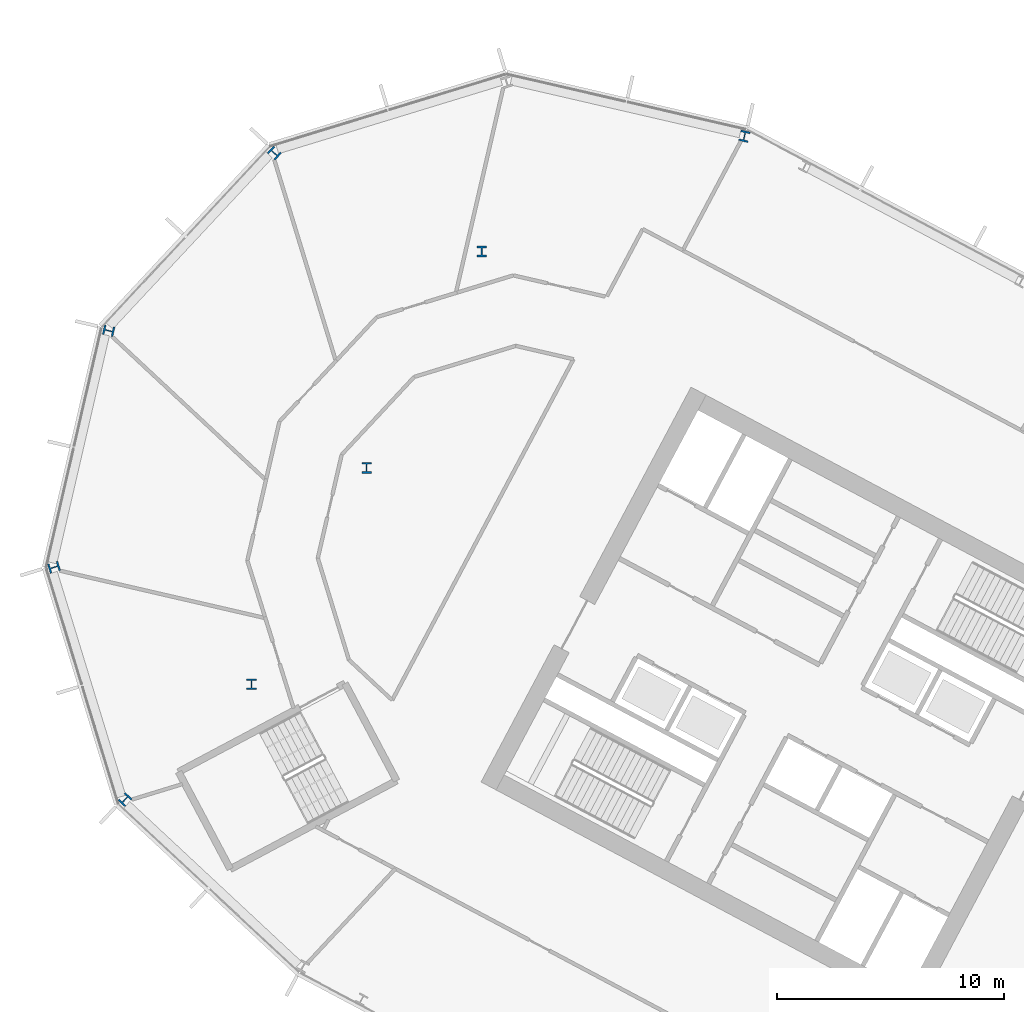
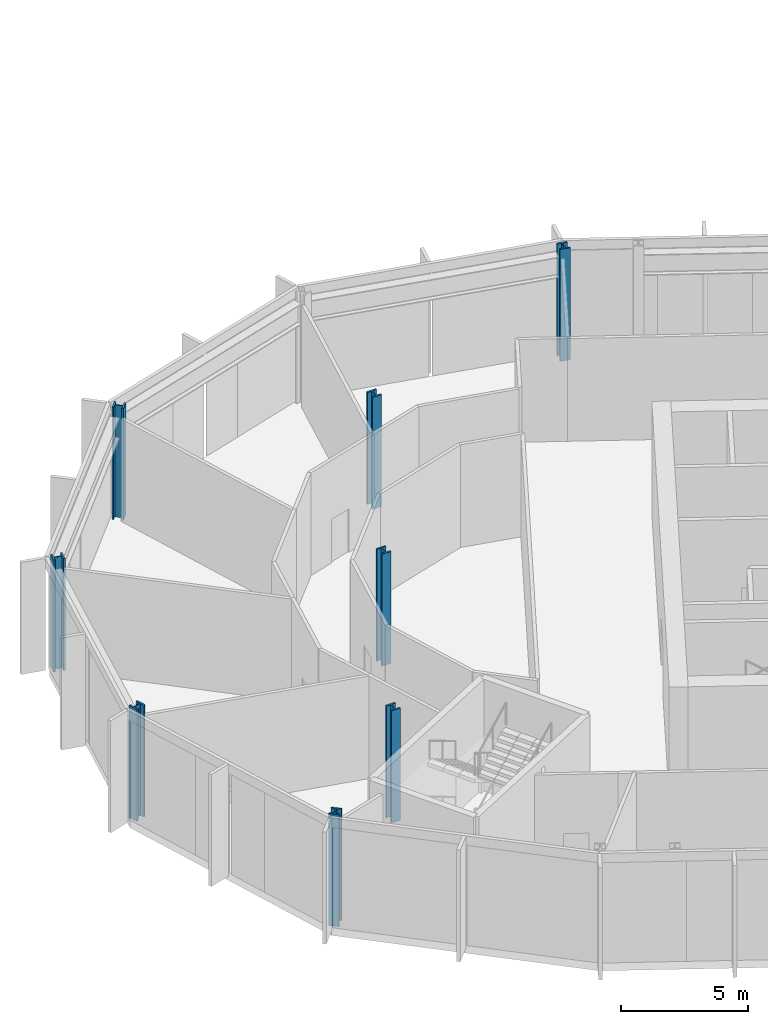
# One storey, part 3 of 31: 8 columns.
"""IFC4 building model written with IfcOpenShell, lengths in metres."""

import ifcopenshell
import ifcopenshell.guid

model = None  # the IFC model being written
_history = None  # IfcOwnerHistory: only IFC2X3 demands one
_inside = {}  # id of a spatial element -> (the spatial element, [elements in it])
_under = {}  # id of a project, library or spatial element -> (it, [spatial elements below it])
_declared = {}  # id of a project -> (the project, [libraries it declares])
_typed = {}  # id of a type object -> (the type object, [elements of that type])
_made_of = {}  # id of a material, layer set ... -> (it, [elements and type objects made of it])


def new_model(schema):
    """Start an empty IFC model of exactly this schema.

    Asked for "IFC4X3", IfcOpenShell would pick the latest addendum, in which some entities
    have other attributes; the version numbers below select the first issue.
    IFC2X3 requires an IfcOwnerHistory on every rooted entity: one is made here for all.
    """
    global model, _history
    if schema == "IFC4X3":
        model = ifcopenshell.file(schema_version=(4, 3, 0, 0))
    else:
        model = ifcopenshell.file(schema=schema)
    _inside.clear()
    _under.clear()
    _declared.clear()
    _typed.clear()
    _made_of.clear()
    _history = None
    if model.schema == "IFC2X3":
        org = make("IfcOrganization", Name="unknown")
        user = make(
            "IfcPersonAndOrganization",
            ThePerson=make("IfcPerson", FamilyName="unknown"),
            TheOrganization=org,
        )
        app = make(
            "IfcApplication",
            ApplicationDeveloper=org,
            Version="unknown",
            ApplicationFullName="unknown",
            ApplicationIdentifier="unknown",
        )
        _history = make(
            "IfcOwnerHistory",
            OwningUser=user,
            OwningApplication=app,
            ChangeAction="ADDED",
            CreationDate=0,
        )
    return model


def make(cls, **values):
    """One entity of the class cls with the attributes given. An attribute that is None is left unset."""
    return model.create_entity(
        cls, **{name: value for name, value in values.items() if value is not None}
    )


def rooted(cls, **values):
    """An entity with a GlobalId (a new one), such as an element, a storey or a relation."""
    return make(cls, GlobalId=ifcopenshell.guid.new(), OwnerHistory=_history, **values)


def si_unit(unit_type, name, prefix=None):
    """IfcSIUnit, for example si_unit("LENGTHUNIT", "METRE", prefix="MILLI")."""
    return make("IfcSIUnit", UnitType=unit_type, Prefix=prefix, Name=name)


def assignment(units):
    """IfcUnitAssignment: the units of a project."""
    return None if units is None else make("IfcUnitAssignment", Units=units)


def point(xyz):
    """IfcCartesianPoint."""
    return None if xyz is None else make("IfcCartesianPoint", Coordinates=xyz)


def direction(xyz):
    """IfcDirection."""
    return None if xyz is None else make("IfcDirection", DirectionRatios=xyz)


def frame(location, z_axis=None, x_axis=None):
    """IfcAxis2Placement3D, a coordinate frame: its origin and axes. An axis left out is left unset."""
    return make(
        "IfcAxis2Placement3D",
        Location=point(location),
        Axis=direction(z_axis),
        RefDirection=direction(x_axis),
    )


def frame_2d(location, x_axis=None):
    """IfcAxis2Placement2D, a coordinate frame in the plane: its origin and x axis."""
    return make(
        "IfcAxis2Placement2D", Location=point(location), RefDirection=direction(x_axis)
    )


def origin():
    """The frame at (0, 0, 0) with its axes left unset."""
    return frame((0.0, 0.0, 0.0))


def origin_2d():
    """The frame at (0, 0) in the plane with its x axis left unset."""
    return frame_2d((0.0, 0.0))


def place(relative_to, where):
    """IfcLocalPlacement: puts the frame where relative to a parent placement (None: the world)."""
    return make(
        "IfcLocalPlacement", PlacementRelTo=relative_to, RelativePlacement=where
    )


def context(
    kind, dimensions, precision=None, world=None, true_north=None, identifier=None
):
    """IfcGeometricRepresentationContext, for example the 3D "Model" context."""
    return make(
        "IfcGeometricRepresentationContext",
        ContextIdentifier=identifier,
        ContextType=kind,
        CoordinateSpaceDimension=dimensions,
        Precision=precision,
        WorldCoordinateSystem=world,
        TrueNorth=true_north,
    )


def subcontext(parent, identifier, kind, view, scale=None):
    """IfcGeometricRepresentationSubContext, for example "Body" below "Model"."""
    return make(
        "IfcGeometricRepresentationSubContext",
        ContextIdentifier=identifier,
        ContextType=kind,
        ParentContext=parent,
        TargetScale=scale,
        TargetView=view,
    )


def project(units=None, contexts=None):
    """IfcProject with its units and contexts."""
    return rooted(
        "IfcProject",
        Name="project",
        RepresentationContexts=contexts,
        UnitsInContext=assignment(units),
    )


def spatial(cls, under=None, at=None, **own):
    """A site, building, storey or space (cls), placed at a placement, below another one or the project."""
    s = rooted(cls, ObjectPlacement=at, **own)
    if under is not None:
        _under.setdefault(under.id(), (under, []))[1].append(s)
    return s


def profile(cls, at=None, kind="AREA", **sizes):
    """A parametric profile (cls). Its sizes go by their IFC names, for example OverallWidth=200.0."""
    return make(cls, ProfileType=kind, Position=at, **sizes)


def i_section(**sizes):
    """IfcIShapeProfileDef."""
    return profile("IfcIShapeProfileDef", **sizes)


def extrude(swept, where, along, depth):
    """IfcExtrudedAreaSolid: the profile swept, set in the frame where, extruded along a direction by depth."""
    return make(
        "IfcExtrudedAreaSolid",
        SweptArea=swept,
        Position=where,
        ExtrudedDirection=direction(along),
        Depth=depth,
    )


def shape(context_of_items, identifier, shape_type, items):
    """IfcShapeRepresentation: the items that make up one representation, for example the "Body"."""
    return make(
        "IfcShapeRepresentation",
        ContextOfItems=context_of_items,
        RepresentationIdentifier=identifier,
        RepresentationType=shape_type,
        Items=items,
    )


def material(Name=None, Category=None):
    """IfcMaterial."""
    return make("IfcMaterial", Name=Name, Category=Category)


def material_profile(
    of_material, cross_section, Name=None, Category=None, Priority=None
):
    """IfcMaterialProfile: a cross section and its material."""
    return make(
        "IfcMaterialProfile",
        Name=Name,
        Material=of_material,
        Profile=cross_section,
        Priority=Priority,
        Category=Category,
    )


def profile_set(profiles, Name=None, composite=None):
    """IfcMaterialProfileSet."""
    return make(
        "IfcMaterialProfileSet",
        Name=Name,
        MaterialProfiles=profiles,
        CompositeProfile=composite,
    )


def made_of(thing, what):
    """Note that an element or type object is made of a material, layer set ...; save() writes the relation."""
    if what is not None:
        _made_of.setdefault(what.id(), (what, []))[1].append(thing)
    return thing


def type_object(cls, material=None, **own):
    """A type object (cls), such as IfcWallType, which elements share."""
    return made_of(rooted(cls, **own), material)


def element(
    cls,
    number,
    at=None,
    inside=None,
    cuts=None,
    type_object=None,
    material=None,
    context=None,
    identifier="Body",
    shape_type=None,
    held_by="IfcProductDefinitionShape",
    body=None,
    shapes=None,
    **own,
):
    """One element of the class cls, such as IfcWall. Its Tag is "e" and its number.

    at: its placement. inside: the storey or other place that contains it. cuts: it is an
    opening in that element (IfcRelVoidsElement). A single representation is given by context,
    identifier, shape_type and body (its items); several are given by shapes. held_by: the class
    of the entity that holds the representations. save() writes the other relations.
    """
    e = rooted(cls, Tag="e%d" % number, ObjectPlacement=at, **own)
    if body is not None:
        shapes = [shape(context, identifier, shape_type, body)]
    if shapes is not None:
        e.Representation = make(held_by, Representations=shapes)
    if inside is not None:
        _inside.setdefault(inside.id(), (inside, []))[1].append(e)
    if cuts is not None:
        rooted(
            "IfcRelVoidsElement", RelatingBuildingElement=cuts, RelatedOpeningElement=e
        )
    if type_object is not None:
        _typed.setdefault(type_object.id(), (type_object, []))[1].append(e)
    return made_of(e, material)


def aggregate(whole, parts):
    """IfcRelAggregates: a whole, such as a stair, and the parts it consists of."""
    return rooted("IfcRelAggregates", RelatingObject=whole, RelatedObjects=parts)


def save(model, path):
    """Write the relations noted so far, then the file.

    IfcRelAggregates (storeys below a building ...), IfcRelContainedInSpatialStructure (elements
    in a storey), IfcRelDefinesByType, IfcRelAssociatesMaterial and IfcRelDeclares: one each for
    every whole, place, type object, material and project.
    """
    for whole, parts in _under.values():
        aggregate(whole, parts)
    for where, things in _inside.values():
        rooted(
            "IfcRelContainedInSpatialStructure",
            RelatedElements=things,
            RelatingStructure=where,
        )
    for kind, things in _typed.values():
        rooted("IfcRelDefinesByType", RelatedObjects=things, RelatingType=kind)
    for what, things in _made_of.values():
        rooted("IfcRelAssociatesMaterial", RelatedObjects=things, RelatingMaterial=what)
    for by, libraries in _declared.values():
        rooted("IfcRelDeclares", RelatingContext=by, RelatedDefinitions=libraries)
    model.write(path)


model = new_model("IFC4")

# Units and contexts
model_context = context("Model", 3, precision=1e-05, world=origin(), true_north=direction((0.0, 1.0)))
body_context = subcontext(model_context, "Body", "Model", "MODEL_VIEW")
ifc_project = project(units=[si_unit("LENGTHUNIT", "METRE"), si_unit("AREAUNIT", "SQUARE_METRE"), si_unit("VOLUMEUNIT", "CUBIC_METRE"), si_unit("PLANEANGLEUNIT", "RADIAN"), si_unit("MASSUNIT", "GRAM", prefix="KILO")], contexts=[model_context])

# Site, building, storey
site_placement = place(None, origin())
site = spatial("IfcSite", under=ifc_project, at=site_placement, CompositionType="ELEMENT")
building_placement = place(site_placement, origin())
building = spatial("IfcBuilding", under=site, at=building_placement, Name="Cormorant Relay Tower", CompositionType="ELEMENT")
storey_placement = place(building_placement, frame((0.0, 0.0, 178.199951171875)))
storey = spatial("IfcBuildingStorey", under=building, at=storey_placement, Name="L38", CompositionType="ELEMENT", Elevation=178.199951171875)

# Columns
ifc_material = material(Name="Steel ASTM A992 (Fy 345 MPa)", Category="steel")
ifc_material_profile = material_profile(ifc_material, i_section(OverallWidth=0.42431640625, OverallDepth=0.47509765625, WebThickness=0.0478515625, FlangeThickness=0.0771484375, FilletRadius=0.014892578125, at=origin_2d()), Name="W360x634")
ifc_profile_set = profile_set([ifc_material_profile], Name="Steel ASTM A992 (Fy 345 MPa)")
column_type = type_object("IfcColumnType", Name="Column W360x634", PredefinedType="COLUMN", material=ifc_profile_set)
for number, where, z_axis, x_axis, name in (
    (1, (-57.261962890625, 10.173095703125, 0.0), (0.0, 0.0, 1.0), (0.731353701619, -0.681998360062, 0.0), "Column L38-022"),
    (2, (-51.68994140625, 15.251953125, 0.0), (0.0, 0.0, 1.0), (1.0, 0.0, 0.0), "Column L38-028"),
    (3, (-60.389892578125, 20.405029296875, 0.0), (0.0, 0.0, 1.0), (0.292371704723, -0.956304755963, 0.0), "Column L38-030"),
    (4, (-46.6201171875, 24.7880859375, 0.0), (0.0, 0.0, 1.0), (1.0, 0.0, 0.0), "Column L38-033"),
    (5, (-57.98291015625, 30.830078125, 0.0), (0.0, 0.0, 1.0), (-0.224951054344, -0.974370064785, 0.0), "Column L38-037"),
    (6, (-41.549072265625, 34.323974609375, 0.0), (0.0, 0.0, 1.0), (1.0, 0.0, 0.0), "Column L38-041"),
    (7, (-50.68603515625, 38.655029296875, 0.0), (0.0, 0.0, 1.0), (-0.681998360062, -0.731353701619, 0.0), "Column L38-045"),
    (8, (-29.97509765625, 39.39599609375, 0.0), (0.0, 0.0, 1.0), (-0.974370064785, 0.224951054344, 0.0), "Column L38-046"),
):
    element("IfcColumn", number, at=place(storey_placement, frame(where, z_axis=z_axis, x_axis=x_axis)), inside=storey, type_object=column_type, Name=name, PredefinedType="COLUMN", context=body_context, shape_type="SweptSolid", body=[
        extrude(i_section(OverallWidth=0.42431640625, OverallDepth=0.47509765625, WebThickness=0.0478515625, FlangeThickness=0.0771484375, FilletRadius=0.014892578125, at=origin_2d()), origin(), (0.0, 0.0, 1.0), 5.400146484375),
    ])

save(model, "model.ifc")
